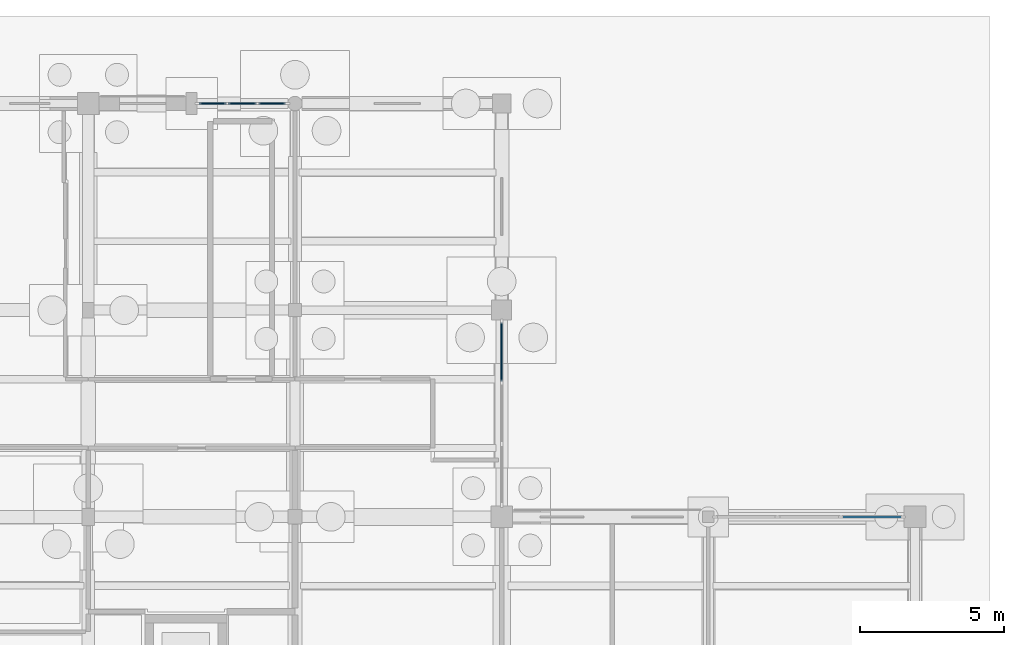
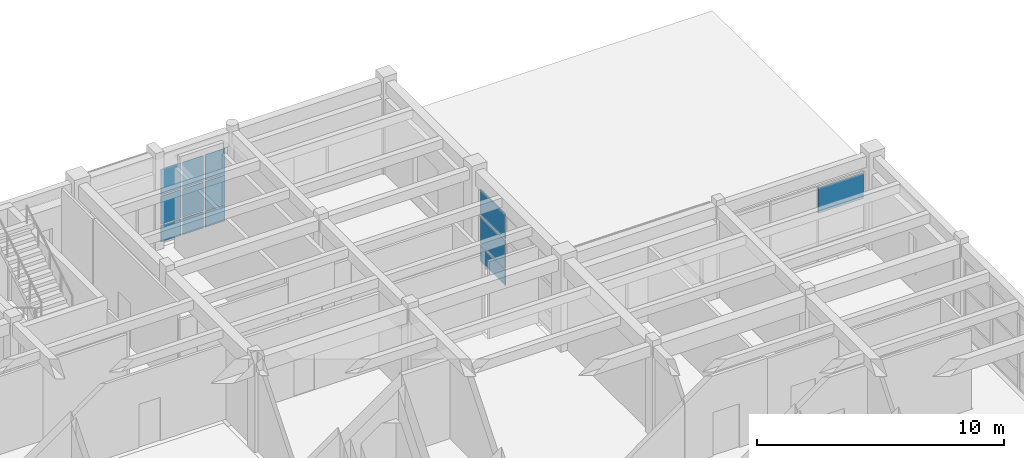
# One storey, part 87 of 143: 13 plates, 3 elements without a shape of their own.
"""IFC4 building model written with IfcOpenShell, lengths in metres."""

import ifcopenshell
import ifcopenshell.guid

model = None  # the IFC model being written
_history = None  # IfcOwnerHistory: only IFC2X3 demands one
_inside = {}  # id of a spatial element -> (the spatial element, [elements in it])
_under = {}  # id of a project, library or spatial element -> (it, [spatial elements below it])
_declared = {}  # id of a project -> (the project, [libraries it declares])
_typed = {}  # id of a type object -> (the type object, [elements of that type])
_made_of = {}  # id of a material, layer set ... -> (it, [elements and type objects made of it])


def new_model(schema):
    """Start an empty IFC model of exactly this schema.

    Asked for "IFC4X3", IfcOpenShell would pick the latest addendum, in which some entities
    have other attributes; the version numbers below select the first issue.
    IFC2X3 requires an IfcOwnerHistory on every rooted entity: one is made here for all.
    """
    global model, _history
    if schema == "IFC4X3":
        model = ifcopenshell.file(schema_version=(4, 3, 0, 0))
    else:
        model = ifcopenshell.file(schema=schema)
    _inside.clear()
    _under.clear()
    _declared.clear()
    _typed.clear()
    _made_of.clear()
    _history = None
    if model.schema == "IFC2X3":
        org = make("IfcOrganization", Name="unknown")
        user = make(
            "IfcPersonAndOrganization",
            ThePerson=make("IfcPerson", FamilyName="unknown"),
            TheOrganization=org,
        )
        app = make(
            "IfcApplication",
            ApplicationDeveloper=org,
            Version="unknown",
            ApplicationFullName="unknown",
            ApplicationIdentifier="unknown",
        )
        _history = make(
            "IfcOwnerHistory",
            OwningUser=user,
            OwningApplication=app,
            ChangeAction="ADDED",
            CreationDate=0,
        )
    return model


def make(cls, **values):
    """One entity of the class cls with the attributes given. An attribute that is None is left unset."""
    return model.create_entity(
        cls, **{name: value for name, value in values.items() if value is not None}
    )


def rooted(cls, **values):
    """An entity with a GlobalId (a new one), such as an element, a storey or a relation."""
    return make(cls, GlobalId=ifcopenshell.guid.new(), OwnerHistory=_history, **values)


def si_unit(unit_type, name, prefix=None):
    """IfcSIUnit, for example si_unit("LENGTHUNIT", "METRE", prefix="MILLI")."""
    return make("IfcSIUnit", UnitType=unit_type, Prefix=prefix, Name=name)


def assignment(units):
    """IfcUnitAssignment: the units of a project."""
    return None if units is None else make("IfcUnitAssignment", Units=units)


def point(xyz):
    """IfcCartesianPoint."""
    return None if xyz is None else make("IfcCartesianPoint", Coordinates=xyz)


def direction(xyz):
    """IfcDirection."""
    return None if xyz is None else make("IfcDirection", DirectionRatios=xyz)


def frame(location, z_axis=None, x_axis=None):
    """IfcAxis2Placement3D, a coordinate frame: its origin and axes. An axis left out is left unset."""
    return make(
        "IfcAxis2Placement3D",
        Location=point(location),
        Axis=direction(z_axis),
        RefDirection=direction(x_axis),
    )


def frame_2d(location, x_axis=None):
    """IfcAxis2Placement2D, a coordinate frame in the plane: its origin and x axis."""
    return make(
        "IfcAxis2Placement2D", Location=point(location), RefDirection=direction(x_axis)
    )


def origin():
    """The frame at (0, 0, 0) with its axes left unset."""
    return frame((0.0, 0.0, 0.0))


def origin_2d():
    """The frame at (0, 0) in the plane with its x axis left unset."""
    return frame_2d((0.0, 0.0))


def place(relative_to, where):
    """IfcLocalPlacement: puts the frame where relative to a parent placement (None: the world)."""
    return make(
        "IfcLocalPlacement", PlacementRelTo=relative_to, RelativePlacement=where
    )


def context(
    kind, dimensions, precision=None, world=None, true_north=None, identifier=None
):
    """IfcGeometricRepresentationContext, for example the 3D "Model" context."""
    return make(
        "IfcGeometricRepresentationContext",
        ContextIdentifier=identifier,
        ContextType=kind,
        CoordinateSpaceDimension=dimensions,
        Precision=precision,
        WorldCoordinateSystem=world,
        TrueNorth=true_north,
    )


def subcontext(parent, identifier, kind, view, scale=None):
    """IfcGeometricRepresentationSubContext, for example "Body" below "Model"."""
    return make(
        "IfcGeometricRepresentationSubContext",
        ContextIdentifier=identifier,
        ContextType=kind,
        ParentContext=parent,
        TargetScale=scale,
        TargetView=view,
    )


def project(units=None, contexts=None):
    """IfcProject with its units and contexts."""
    return rooted(
        "IfcProject",
        Name="project",
        RepresentationContexts=contexts,
        UnitsInContext=assignment(units),
    )


def spatial(cls, under=None, at=None, **own):
    """A site, building, storey or space (cls), placed at a placement, below another one or the project."""
    s = rooted(cls, ObjectPlacement=at, **own)
    if under is not None:
        _under.setdefault(under.id(), (under, []))[1].append(s)
    return s


def profile(cls, at=None, kind="AREA", **sizes):
    """A parametric profile (cls). Its sizes go by their IFC names, for example OverallWidth=200.0."""
    return make(cls, ProfileType=kind, Position=at, **sizes)


def rectangle(**sizes):
    """IfcRectangleProfileDef."""
    return profile("IfcRectangleProfileDef", **sizes)


def extrude(swept, where, along, depth):
    """IfcExtrudedAreaSolid: the profile swept, set in the frame where, extruded along a direction by depth."""
    return make(
        "IfcExtrudedAreaSolid",
        SweptArea=swept,
        Position=where,
        ExtrudedDirection=direction(along),
        Depth=depth,
    )


def shape(context_of_items, identifier, shape_type, items):
    """IfcShapeRepresentation: the items that make up one representation, for example the "Body"."""
    return make(
        "IfcShapeRepresentation",
        ContextOfItems=context_of_items,
        RepresentationIdentifier=identifier,
        RepresentationType=shape_type,
        Items=items,
    )


def material(Name=None, Category=None):
    """IfcMaterial."""
    return make("IfcMaterial", Name=Name, Category=Category)


def layer(
    of_material, thickness, ventilated=None, Name=None, Category=None, Priority=None
):
    """IfcMaterialLayer: one layer of a wall or slab, of a material (None: an air gap)."""
    return make(
        "IfcMaterialLayer",
        Material=of_material,
        LayerThickness=thickness,
        IsVentilated=ventilated,
        Name=Name,
        Category=Category,
        Priority=Priority,
    )


def layer_set(layers, Name=None):
    """IfcMaterialLayerSet."""
    return make("IfcMaterialLayerSet", MaterialLayers=layers, LayerSetName=Name)


def made_of(thing, what):
    """Note that an element or type object is made of a material, layer set ...; save() writes the relation."""
    if what is not None:
        _made_of.setdefault(what.id(), (what, []))[1].append(thing)
    return thing


def type_object(cls, material=None, **own):
    """A type object (cls), such as IfcWallType, which elements share."""
    return made_of(rooted(cls, **own), material)


def element(
    cls,
    number,
    at=None,
    inside=None,
    cuts=None,
    type_object=None,
    material=None,
    context=None,
    identifier="Body",
    shape_type=None,
    held_by="IfcProductDefinitionShape",
    body=None,
    shapes=None,
    **own,
):
    """One element of the class cls, such as IfcWall. Its Tag is "e" and its number.

    at: its placement. inside: the storey or other place that contains it. cuts: it is an
    opening in that element (IfcRelVoidsElement). A single representation is given by context,
    identifier, shape_type and body (its items); several are given by shapes. held_by: the class
    of the entity that holds the representations. save() writes the other relations.
    """
    e = rooted(cls, Tag="e%d" % number, ObjectPlacement=at, **own)
    if body is not None:
        shapes = [shape(context, identifier, shape_type, body)]
    if shapes is not None:
        e.Representation = make(held_by, Representations=shapes)
    if inside is not None:
        _inside.setdefault(inside.id(), (inside, []))[1].append(e)
    if cuts is not None:
        rooted(
            "IfcRelVoidsElement", RelatingBuildingElement=cuts, RelatedOpeningElement=e
        )
    if type_object is not None:
        _typed.setdefault(type_object.id(), (type_object, []))[1].append(e)
    return made_of(e, material)


def aggregate(whole, parts):
    """IfcRelAggregates: a whole, such as a stair, and the parts it consists of."""
    return rooted("IfcRelAggregates", RelatingObject=whole, RelatedObjects=parts)


def save(model, path):
    """Write the relations noted so far, then the file.

    IfcRelAggregates (storeys below a building ...), IfcRelContainedInSpatialStructure (elements
    in a storey), IfcRelDefinesByType, IfcRelAssociatesMaterial and IfcRelDeclares: one each for
    every whole, place, type object, material and project.
    """
    for whole, parts in _under.values():
        aggregate(whole, parts)
    for where, things in _inside.values():
        rooted(
            "IfcRelContainedInSpatialStructure",
            RelatedElements=things,
            RelatingStructure=where,
        )
    for kind, things in _typed.values():
        rooted("IfcRelDefinesByType", RelatedObjects=things, RelatingType=kind)
    for what, things in _made_of.values():
        rooted("IfcRelAssociatesMaterial", RelatedObjects=things, RelatingMaterial=what)
    for by, libraries in _declared.values():
        rooted("IfcRelDeclares", RelatingContext=by, RelatedDefinitions=libraries)
    model.write(path)


model = new_model("IFC4")

# Units and contexts
model_context = context("Model", 3, precision=1e-05, world=origin(), true_north=direction((0.0, 1.0)))
body_context = subcontext(model_context, "Body", "Model", "MODEL_VIEW")
ifc_project = project(units=[si_unit("LENGTHUNIT", "METRE"), si_unit("AREAUNIT", "SQUARE_METRE"), si_unit("VOLUMEUNIT", "CUBIC_METRE"), si_unit("PLANEANGLEUNIT", "RADIAN"), si_unit("MASSUNIT", "GRAM", prefix="KILO")], contexts=[model_context])

# Site, building, storey
site_placement = place(None, origin())
site = spatial("IfcSite", under=ifc_project, at=site_placement, CompositionType="ELEMENT")
building_placement = place(site_placement, origin())
building = spatial("IfcBuilding", under=site, at=building_placement, Name="Steenspoor Specialist Clinic", CompositionType="ELEMENT")
storey_placement = place(building_placement, origin())
storey = spatial("IfcBuildingStorey", under=building, at=storey_placement, Name="L00", CompositionType="ELEMENT", Elevation=0.0)

# Curtain wall, plates
ifc_material_1 = material(Name="Thermally broken aluminium and low-emissivity glass", Category="aluminium")
curtain_wall_type_1 = type_object("IfcCurtainWallType", Name="CW-STR-220X415", PredefinedType="USERDEFINED", material=ifc_material_1)
curtain_wall_1_placement = place(storey_placement, origin())
curtain_wall_1 = element("IfcCurtainWall", 1, at=curtain_wall_1_placement, inside=storey, type_object=curtain_wall_type_1, Name="Unitised Curtain Wall CW-V6-L00-168", ObjectType="UNITISED GLAZING", PredefinedType="USERDEFINED")
ifc_material_2 = material(Name="Double low-emissivity insulated glass", Category="glass")
ifc_layer_1 = layer(ifc_material_2, 0.035888671875)
ifc_layer_set_1 = layer_set([ifc_layer_1], Name="Double low-emissivity insulated glass")
plate_type_1 = type_object("IfcPlateType", Name="CW-PAN-GL36", PredefinedType="CURTAIN_PANEL", material=ifc_layer_set_1)
plate_1_placement = place(storey_placement, frame((136.736572265625, 108.35009765625, 0.06005859375), z_axis=(0.0, 0.0, 1.0), x_axis=(1.0, 0.0, 0.0)))
plate_1 = element("IfcPlate", 2, at=plate_1_placement, type_object=plate_type_1, Name="CW-24 panel 1.1", PredefinedType="CURTAIN_PANEL", context=body_context, shape_type="SweptSolid", body=[
    extrude(rectangle(XDim=0.933349609375, YDim=0.035888671875, at=origin_2d()), origin(), (0.0, 0.0, 1.0), 0.81005859375),
])
plate_2_placement = place(storey_placement, frame((136.736572265625, 108.35009765625, 0.93017578125), z_axis=(0.0, 0.0, 1.0), x_axis=(1.0, 0.0, 0.0)))
plate_2 = element("IfcPlate", 3, at=plate_2_placement, type_object=plate_type_1, Name="CW-24 panel 1.2", PredefinedType="CURTAIN_PANEL", context=body_context, shape_type="SweptSolid", body=[
    extrude(rectangle(XDim=0.933349609375, YDim=0.035888671875, at=origin_2d()), origin(), (0.0, 0.0, 1.0), 1.389892578125),
])
plate_3_placement = place(storey_placement, frame((136.736572265625, 108.35009765625, 2.3798828125), z_axis=(0.0, 0.0, 1.0), x_axis=(1.0, 0.0, 0.0)))
plate_3 = element("IfcPlate", 4, at=plate_3_placement, type_object=plate_type_1, Name="CW-24 panel 1.3", PredefinedType="CURTAIN_PANEL", context=body_context, shape_type="SweptSolid", body=[
    extrude(rectangle(XDim=0.933349609375, YDim=0.035888671875, at=origin_2d()), origin(), (0.0, 0.0, 1.0), 1.260009765625),
])
plate_4_placement = place(storey_placement, frame((137.77001953125, 108.35009765625, 0.06005859375), z_axis=(0.0, 0.0, 1.0), x_axis=(1.0, 0.0, 0.0)))
plate_4 = element("IfcPlate", 5, at=plate_4_placement, type_object=plate_type_1, Name="CW-24 panel 2.1", PredefinedType="CURTAIN_PANEL", context=body_context, shape_type="SweptSolid", body=[
    extrude(rectangle(XDim=0.973388671875, YDim=0.035888671875, at=origin_2d()), origin(), (0.0, 0.0, 1.0), 0.81005859375),
])
plate_5_placement = place(storey_placement, frame((137.77001953125, 108.35009765625, 0.93017578125), z_axis=(0.0, 0.0, 1.0), x_axis=(1.0, 0.0, 0.0)))
plate_5 = element("IfcPlate", 6, at=plate_5_placement, type_object=plate_type_1, Name="CW-24 panel 2.2", PredefinedType="CURTAIN_PANEL", context=body_context, shape_type="SweptSolid", body=[
    extrude(rectangle(XDim=0.973388671875, YDim=0.035888671875, at=origin_2d()), origin(), (0.0, 0.0, 1.0), 1.389892578125),
])
plate_6_placement = place(storey_placement, frame((137.77001953125, 108.35009765625, 2.3798828125), z_axis=(0.0, 0.0, 1.0), x_axis=(1.0, 0.0, 0.0)))
plate_6 = element("IfcPlate", 7, at=plate_6_placement, type_object=plate_type_1, Name="CW-24 panel 2.3", PredefinedType="CURTAIN_PANEL", context=body_context, shape_type="SweptSolid", body=[
    extrude(rectangle(XDim=0.973388671875, YDim=0.035888671875, at=origin_2d()), origin(), (0.0, 0.0, 1.0), 1.260009765625),
])
plate_7_placement = place(storey_placement, frame((138.80322265625, 108.35009765625, 0.06005859375), z_axis=(0.0, 0.0, 1.0), x_axis=(1.0, 0.0, 0.0)))
plate_7 = element("IfcPlate", 8, at=plate_7_placement, type_object=plate_type_1, Name="CW-24 panel 3.1", PredefinedType="CURTAIN_PANEL", context=body_context, shape_type="SweptSolid", body=[
    extrude(rectangle(XDim=0.933349609375, YDim=0.035888671875, at=origin_2d()), origin(), (0.0, 0.0, 1.0), 0.81005859375),
])
plate_8_placement = place(storey_placement, frame((138.80322265625, 108.35009765625, 0.93017578125), z_axis=(0.0, 0.0, 1.0), x_axis=(1.0, 0.0, 0.0)))
plate_8 = element("IfcPlate", 9, at=plate_8_placement, type_object=plate_type_1, Name="CW-24 panel 3.2", PredefinedType="CURTAIN_PANEL", context=body_context, shape_type="SweptSolid", body=[
    extrude(rectangle(XDim=0.933349609375, YDim=0.035888671875, at=origin_2d()), origin(), (0.0, 0.0, 1.0), 1.389892578125),
])
plate_9_placement = place(storey_placement, frame((138.80322265625, 108.35009765625, 2.3798828125), z_axis=(0.0, 0.0, 1.0), x_axis=(1.0, 0.0, 0.0)))
plate_9 = element("IfcPlate", 10, at=plate_9_placement, type_object=plate_type_1, Name="CW-24 panel 3.3", PredefinedType="CURTAIN_PANEL", context=body_context, shape_type="SweptSolid", body=[
    extrude(rectangle(XDim=0.933349609375, YDim=0.035888671875, at=origin_2d()), origin(), (0.0, 0.0, 1.0), 1.260009765625),
])
aggregate(curtain_wall_1, [plate_1, plate_2, plate_3, plate_4, plate_5, plate_6, plate_7, plate_8, plate_9])

curtain_wall_type_2 = type_object("IfcCurtainWallType", Name="CW-HALL-660X820", PredefinedType="USERDEFINED", material=ifc_material_1)
curtain_wall_2_placement = place(storey_placement, origin())
curtain_wall_2 = element("IfcCurtainWall", 11, at=curtain_wall_2_placement, inside=storey, type_object=curtain_wall_type_2, Name="Unitised Curtain Wall CW-V6-L00-169", ObjectType="UNITISED GLAZING", PredefinedType="USERDEFINED")
ifc_material_3 = material(Name="Triple acoustic laminated low-emissivity glass", Category="glass")
ifc_layer_2 = layer(ifc_material_3, 0.048095703125)
ifc_layer_set_2 = layer_set([ifc_layer_2], Name="Triple acoustic laminated low-emissivity glass")
plate_type_2 = type_object("IfcPlateType", Name="CW-PAN-GL48", PredefinedType="CURTAIN_PANEL", material=ifc_layer_set_2)
plate_10_placement = place(storey_placement, frame((146.800048828125, 99.700927734375, 0.08984375), z_axis=(0.0, 0.0, 1.0), x_axis=(0.0, -1.0, 0.0)))
plate_10 = element("IfcPlate", 12, at=plate_10_placement, type_object=plate_type_2, Name="CW-01 panel 1.1", PredefinedType="CURTAIN_PANEL", context=body_context, shape_type="SweptSolid", body=[
    extrude(rectangle(XDim=2.038330078125, YDim=0.048095703125, at=origin_2d()), origin(), (0.0, 0.0, 1.0), 0.764892578125),
])
plate_11_placement = place(storey_placement, frame((146.800048828125, 99.700927734375, 0.94482421875), z_axis=(0.0, 0.0, 1.0), x_axis=(0.0, -1.0, 0.0)))
plate_11 = element("IfcPlate", 13, at=plate_11_placement, type_object=plate_type_2, Name="CW-01 panel 1.2", PredefinedType="CURTAIN_PANEL", context=body_context, shape_type="SweptSolid", body=[
    extrude(rectangle(XDim=2.038330078125, YDim=0.048095703125, at=origin_2d()), origin(), (0.0, 0.0, 1.0), 1.360107421875),
])
plate_12_placement = place(storey_placement, frame((146.800048828125, 99.700927734375, 2.39501953125), z_axis=(0.0, 0.0, 1.0), x_axis=(0.0, -1.0, 0.0)))
plate_12 = element("IfcPlate", 14, at=plate_12_placement, type_object=plate_type_2, Name="CW-01 panel 1.3", PredefinedType="CURTAIN_PANEL", context=body_context, shape_type="SweptSolid", body=[
    extrude(rectangle(XDim=2.038330078125, YDim=0.048095703125, at=origin_2d()), origin(), (0.0, 0.0, 1.0), 1.215087890625),
])
aggregate(curtain_wall_2, [plate_10, plate_11, plate_12])

# Curtain wall, plate
curtain_wall_type_3 = type_object("IfcCurtainWallType", Name="CW-HALL-650X820", PredefinedType="USERDEFINED", material=ifc_material_1)
curtain_wall_3_placement = place(storey_placement, origin())
curtain_wall_3 = element("IfcCurtainWall", 15, at=curtain_wall_3_placement, inside=storey, type_object=curtain_wall_type_3, Name="Unitised Curtain Wall CW-V6-L00-170", ObjectType="UNITISED GLAZING", PredefinedType="USERDEFINED")
ifc_material_4 = material(Name="Insulated glazed ceramic spandrel panel", Category="glass")
ifc_layer_3 = layer(ifc_material_4, 0.074951171875)
ifc_layer_set_3 = layer_set([ifc_layer_3], Name="Insulated glazed ceramic spandrel panel")
plate_type_3 = type_object("IfcPlateType", Name="CW-PAN-SP75", PredefinedType="CURTAIN_PANEL", material=ifc_layer_set_3)
plate_13_placement = place(storey_placement, frame((159.703369140625, 93.949951171875, 2.389892578125), z_axis=(0.0, 0.0, 1.0), x_axis=(1.0, 0.0, 0.0)))
plate_13 = element("IfcPlate", 16, at=plate_13_placement, type_object=plate_type_3, Name="CW-02 panel 3.3", PredefinedType="CURTAIN_PANEL", context=body_context, shape_type="SweptSolid", body=[
    extrude(rectangle(XDim=2.103271484375, YDim=0.074951171875, at=origin_2d()), origin(), (0.0, 0.0, 1.0), 1.22998046875),
])
aggregate(curtain_wall_3, [plate_13])

save(model, "model.ifc")
